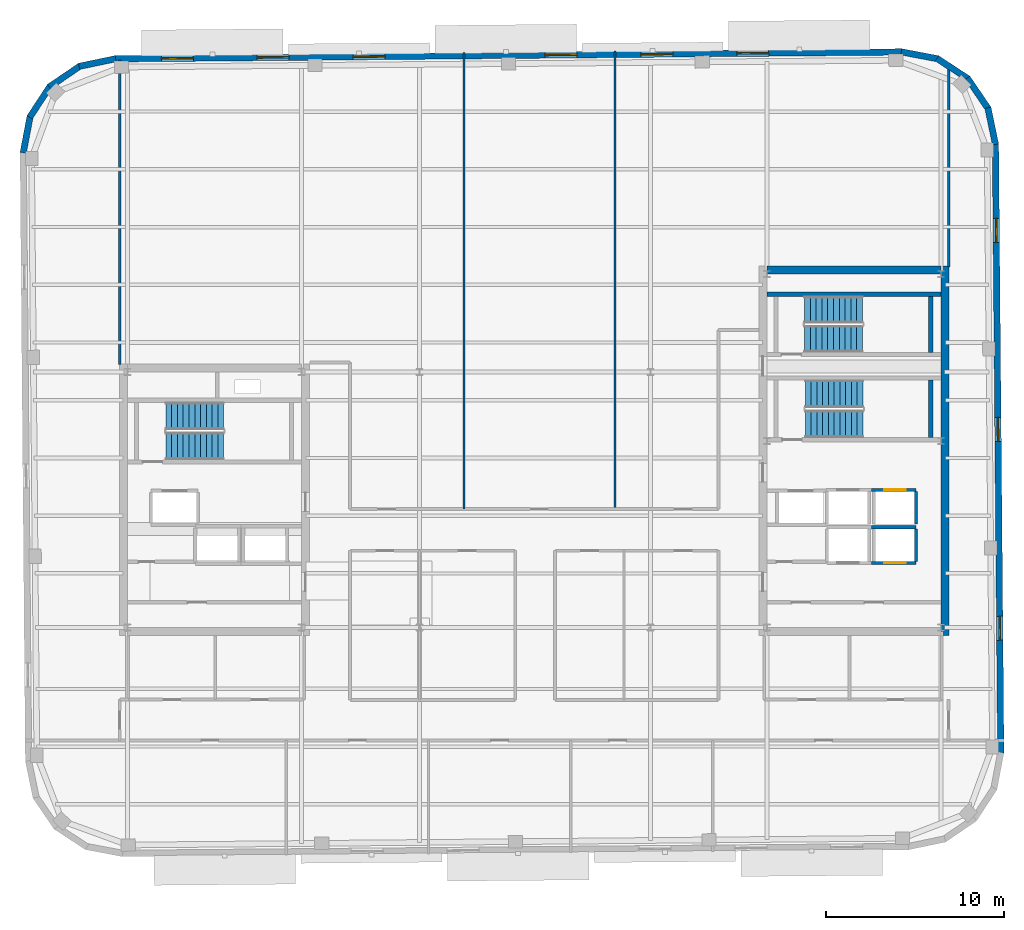
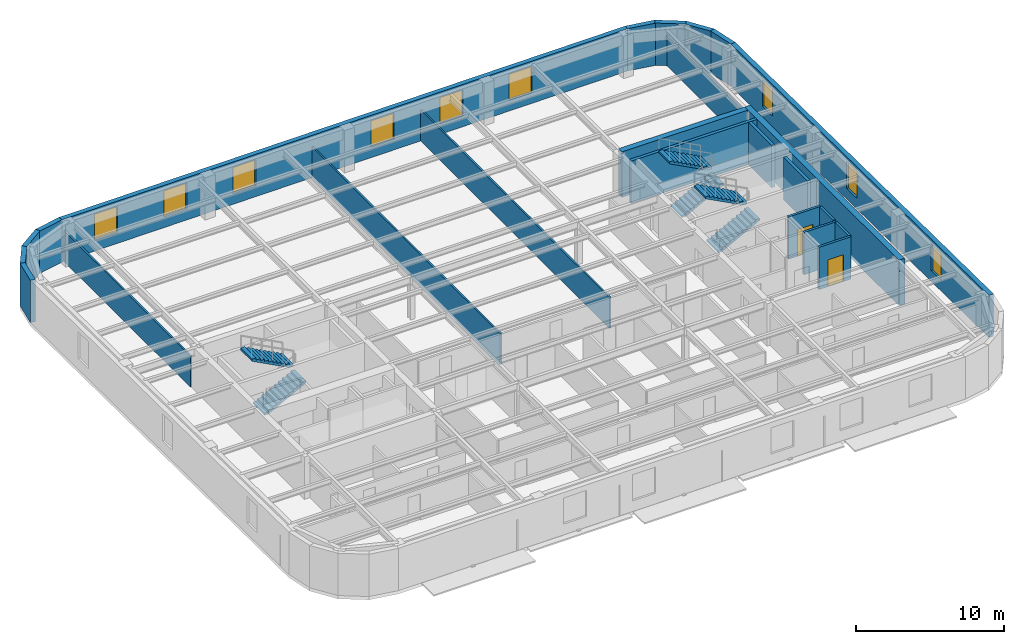
# One storey, part 9 of 13: 24 walls, 9 windows, 6 stair flights, 2 doors, 11 openings, 3 elements without a shape of their own.
"""IFC4 building model written with IfcOpenShell, lengths in metres."""

import ifcopenshell
import ifcopenshell.guid

model = None  # the IFC model being written
_history = None  # IfcOwnerHistory: only IFC2X3 demands one
_inside = {}  # id of a spatial element -> (the spatial element, [elements in it])
_under = {}  # id of a project, library or spatial element -> (it, [spatial elements below it])
_declared = {}  # id of a project -> (the project, [libraries it declares])
_typed = {}  # id of a type object -> (the type object, [elements of that type])
_made_of = {}  # id of a material, layer set ... -> (it, [elements and type objects made of it])


def new_model(schema):
    """Start an empty IFC model of exactly this schema.

    Asked for "IFC4X3", IfcOpenShell would pick the latest addendum, in which some entities
    have other attributes; the version numbers below select the first issue.
    IFC2X3 requires an IfcOwnerHistory on every rooted entity: one is made here for all.
    """
    global model, _history
    if schema == "IFC4X3":
        model = ifcopenshell.file(schema_version=(4, 3, 0, 0))
    else:
        model = ifcopenshell.file(schema=schema)
    _inside.clear()
    _under.clear()
    _declared.clear()
    _typed.clear()
    _made_of.clear()
    _history = None
    if model.schema == "IFC2X3":
        org = make("IfcOrganization", Name="unknown")
        user = make(
            "IfcPersonAndOrganization",
            ThePerson=make("IfcPerson", FamilyName="unknown"),
            TheOrganization=org,
        )
        app = make(
            "IfcApplication",
            ApplicationDeveloper=org,
            Version="unknown",
            ApplicationFullName="unknown",
            ApplicationIdentifier="unknown",
        )
        _history = make(
            "IfcOwnerHistory",
            OwningUser=user,
            OwningApplication=app,
            ChangeAction="ADDED",
            CreationDate=0,
        )
    return model


def make(cls, **values):
    """One entity of the class cls with the attributes given. An attribute that is None is left unset."""
    return model.create_entity(
        cls, **{name: value for name, value in values.items() if value is not None}
    )


def rooted(cls, **values):
    """An entity with a GlobalId (a new one), such as an element, a storey or a relation."""
    return make(cls, GlobalId=ifcopenshell.guid.new(), OwnerHistory=_history, **values)


def si_unit(unit_type, name, prefix=None):
    """IfcSIUnit, for example si_unit("LENGTHUNIT", "METRE", prefix="MILLI")."""
    return make("IfcSIUnit", UnitType=unit_type, Prefix=prefix, Name=name)


def assignment(units):
    """IfcUnitAssignment: the units of a project."""
    return None if units is None else make("IfcUnitAssignment", Units=units)


def point(xyz):
    """IfcCartesianPoint."""
    return None if xyz is None else make("IfcCartesianPoint", Coordinates=xyz)


def direction(xyz):
    """IfcDirection."""
    return None if xyz is None else make("IfcDirection", DirectionRatios=xyz)


def frame(location, z_axis=None, x_axis=None):
    """IfcAxis2Placement3D, a coordinate frame: its origin and axes. An axis left out is left unset."""
    return make(
        "IfcAxis2Placement3D",
        Location=point(location),
        Axis=direction(z_axis),
        RefDirection=direction(x_axis),
    )


def frame_2d(location, x_axis=None):
    """IfcAxis2Placement2D, a coordinate frame in the plane: its origin and x axis."""
    return make(
        "IfcAxis2Placement2D", Location=point(location), RefDirection=direction(x_axis)
    )


def origin():
    """The frame at (0, 0, 0) with its axes left unset."""
    return frame((0.0, 0.0, 0.0))


def place(relative_to, where):
    """IfcLocalPlacement: puts the frame where relative to a parent placement (None: the world)."""
    return make(
        "IfcLocalPlacement", PlacementRelTo=relative_to, RelativePlacement=where
    )


def context(
    kind, dimensions, precision=None, world=None, true_north=None, identifier=None
):
    """IfcGeometricRepresentationContext, for example the 3D "Model" context."""
    return make(
        "IfcGeometricRepresentationContext",
        ContextIdentifier=identifier,
        ContextType=kind,
        CoordinateSpaceDimension=dimensions,
        Precision=precision,
        WorldCoordinateSystem=world,
        TrueNorth=true_north,
    )


def subcontext(parent, identifier, kind, view, scale=None):
    """IfcGeometricRepresentationSubContext, for example "Body" below "Model"."""
    return make(
        "IfcGeometricRepresentationSubContext",
        ContextIdentifier=identifier,
        ContextType=kind,
        ParentContext=parent,
        TargetScale=scale,
        TargetView=view,
    )


def project(units=None, contexts=None):
    """IfcProject with its units and contexts."""
    return rooted(
        "IfcProject",
        Name="project",
        RepresentationContexts=contexts,
        UnitsInContext=assignment(units),
    )


def spatial(cls, under=None, at=None, **own):
    """A site, building, storey or space (cls), placed at a placement, below another one or the project."""
    s = rooted(cls, ObjectPlacement=at, **own)
    if under is not None:
        _under.setdefault(under.id(), (under, []))[1].append(s)
    return s


def polyline(points):
    """IfcPolyline through the points."""
    return make("IfcPolyline", Points=[point(p) for p in points])


def profile(cls, at=None, kind="AREA", **sizes):
    """A parametric profile (cls). Its sizes go by their IFC names, for example OverallWidth=200.0."""
    return make(cls, ProfileType=kind, Position=at, **sizes)


def rectangle(**sizes):
    """IfcRectangleProfileDef."""
    return profile("IfcRectangleProfileDef", **sizes)


def outline(outer, holes=None, kind="AREA"):
    """IfcArbitraryClosedProfileDef: a profile drawn as a closed curve; with holes, ...WithVoids."""
    if holes is None:
        return make("IfcArbitraryClosedProfileDef", ProfileType=kind, OuterCurve=outer)
    return make(
        "IfcArbitraryProfileDefWithVoids",
        ProfileType=kind,
        OuterCurve=outer,
        InnerCurves=holes,
    )


def extrude(swept, where, along, depth):
    """IfcExtrudedAreaSolid: the profile swept, set in the frame where, extruded along a direction by depth."""
    return make(
        "IfcExtrudedAreaSolid",
        SweptArea=swept,
        Position=where,
        ExtrudedDirection=direction(along),
        Depth=depth,
    )


def shape(context_of_items, identifier, shape_type, items):
    """IfcShapeRepresentation: the items that make up one representation, for example the "Body"."""
    return make(
        "IfcShapeRepresentation",
        ContextOfItems=context_of_items,
        RepresentationIdentifier=identifier,
        RepresentationType=shape_type,
        Items=items,
    )


def material(Name=None, Category=None):
    """IfcMaterial."""
    return make("IfcMaterial", Name=Name, Category=Category)


def layer(
    of_material, thickness, ventilated=None, Name=None, Category=None, Priority=None
):
    """IfcMaterialLayer: one layer of a wall or slab, of a material (None: an air gap)."""
    return make(
        "IfcMaterialLayer",
        Material=of_material,
        LayerThickness=thickness,
        IsVentilated=ventilated,
        Name=Name,
        Category=Category,
        Priority=Priority,
    )


def layer_set(layers, Name=None):
    """IfcMaterialLayerSet."""
    return make("IfcMaterialLayerSet", MaterialLayers=layers, LayerSetName=Name)


def made_of(thing, what):
    """Note that an element or type object is made of a material, layer set ...; save() writes the relation."""
    if what is not None:
        _made_of.setdefault(what.id(), (what, []))[1].append(thing)
    return thing


def type_object(cls, material=None, **own):
    """A type object (cls), such as IfcWallType, which elements share."""
    return made_of(rooted(cls, **own), material)


def element(
    cls,
    number,
    at=None,
    inside=None,
    cuts=None,
    type_object=None,
    material=None,
    context=None,
    identifier="Body",
    shape_type=None,
    held_by="IfcProductDefinitionShape",
    body=None,
    shapes=None,
    **own,
):
    """One element of the class cls, such as IfcWall. Its Tag is "e" and its number.

    at: its placement. inside: the storey or other place that contains it. cuts: it is an
    opening in that element (IfcRelVoidsElement). A single representation is given by context,
    identifier, shape_type and body (its items); several are given by shapes. held_by: the class
    of the entity that holds the representations. save() writes the other relations.
    """
    e = rooted(cls, Tag="e%d" % number, ObjectPlacement=at, **own)
    if body is not None:
        shapes = [shape(context, identifier, shape_type, body)]
    if shapes is not None:
        e.Representation = make(held_by, Representations=shapes)
    if inside is not None:
        _inside.setdefault(inside.id(), (inside, []))[1].append(e)
    if cuts is not None:
        rooted(
            "IfcRelVoidsElement", RelatingBuildingElement=cuts, RelatedOpeningElement=e
        )
    if type_object is not None:
        _typed.setdefault(type_object.id(), (type_object, []))[1].append(e)
    return made_of(e, material)


def fill(opening, filler):
    """IfcRelFillsElement: the door or window that sits in an opening."""
    return rooted(
        "IfcRelFillsElement",
        RelatingOpeningElement=opening,
        RelatedBuildingElement=filler,
    )


def aggregate(whole, parts):
    """IfcRelAggregates: a whole, such as a stair, and the parts it consists of."""
    return rooted("IfcRelAggregates", RelatingObject=whole, RelatedObjects=parts)


def save(model, path):
    """Write the relations noted so far, then the file.

    IfcRelAggregates (storeys below a building ...), IfcRelContainedInSpatialStructure (elements
    in a storey), IfcRelDefinesByType, IfcRelAssociatesMaterial and IfcRelDeclares: one each for
    every whole, place, type object, material and project.
    """
    for whole, parts in _under.values():
        aggregate(whole, parts)
    for where, things in _inside.values():
        rooted(
            "IfcRelContainedInSpatialStructure",
            RelatedElements=things,
            RelatingStructure=where,
        )
    for kind, things in _typed.values():
        rooted("IfcRelDefinesByType", RelatedObjects=things, RelatingType=kind)
    for what, things in _made_of.values():
        rooted("IfcRelAssociatesMaterial", RelatedObjects=things, RelatingMaterial=what)
    for by, libraries in _declared.values():
        rooted("IfcRelDeclares", RelatingContext=by, RelatedDefinitions=libraries)
    model.write(path)


model = new_model("IFC4")

# Units and contexts
model_context = context("Model", 3, precision=1e-05, world=origin(), true_north=direction((0.0, 1.0)))
body_context = subcontext(model_context, "Body", "Model", "MODEL_VIEW")
ifc_project = project(units=[si_unit("LENGTHUNIT", "METRE"), si_unit("AREAUNIT", "SQUARE_METRE"), si_unit("VOLUMEUNIT", "CUBIC_METRE"), si_unit("PLANEANGLEUNIT", "RADIAN"), si_unit("MASSUNIT", "GRAM", prefix="KILO")], contexts=[model_context])

# Site, building, storey
site_placement = place(None, origin())
site = spatial("IfcSite", under=ifc_project, at=site_placement, CompositionType="ELEMENT")
building_placement = place(site_placement, origin())
building = spatial("IfcBuilding", under=site, at=building_placement, Name="Kolvaren Arena Tower", CompositionType="ELEMENT")
storey_placement = place(building_placement, frame((0.0, 0.0, 286.14990234375)))
storey = spatial("IfcBuildingStorey", under=building, at=storey_placement, Name="L70", CompositionType="ELEMENT", Elevation=286.14990234375)

# Walls
ifc_material_1 = material(Name="Concrete 55 MPa", Category="concrete")
ifc_layer_1 = layer(ifc_material_1, 0.449951171875)
ifc_layer_set_1 = layer_set([ifc_layer_1], Name="Concrete 55 MPa")
wall_type_1 = type_object("IfcWallType", Name="CWALL-450", PredefinedType="SHEAR", material=ifc_layer_set_1)
wall_1_placement = place(storey_placement, frame((60.574951171875, 19.0, -0.27001953125), z_axis=(0.0, 0.0, 1.0), x_axis=(0.0, 1.0, 0.0)))
element("IfcWall", 1, at=wall_1_placement, inside=storey, type_object=wall_type_1, Name="Core Shear Wall EC-EAST (L70)", PredefinedType="SHEAR", context=body_context, shape_type="SweptSolid", body=[
    extrude(rectangle(XDim=20.800048828125, YDim=0.449951171875, at=frame_2d((10.39990234375, 0.0))), origin(), (0.0, 0.0, 1.0), 3.75),
])
wall_2_placement = place(storey_placement, frame((50.550048828125, 39.574951171875, -0.27001953125), z_axis=(0.0, 0.0, 1.0), x_axis=(1.0, 0.0, 0.0)))
element("IfcWall", 2, at=wall_2_placement, inside=storey, type_object=wall_type_1, Name="Core Shear Wall EC-NORTH (L70)", PredefinedType="SHEAR", context=body_context, shape_type="SweptSolid", body=[
    extrude(rectangle(XDim=9.800048828125, YDim=0.449951171875, at=frame_2d((4.89990234375, 0.0))), origin(), (0.0, 0.0, 1.0), 3.75),
])

# Wall, openings, windows
ifc_material_2 = material(Name="Precast concrete C50/60", Category="concrete")
ifc_layer_2 = layer(ifc_material_2, 0.360107421875)
ifc_layer_set_2 = layer_set([ifc_layer_2], Name="Precast concrete C50/60")
wall_type_2 = type_object("IfcWallType", Name="EXT-PIER2", PredefinedType="SOLIDWALL", material=ifc_layer_set_2)
wall_3_placement = place(storey_placement, frame((63.419189453125, 46.688232421875, 0.0), z_axis=(0.0, 0.0, 1.0), x_axis=(0.008726391715, -0.999961924319, 0.0)))
wall_3 = element("IfcWall", 3, at=wall_3_placement, inside=storey, type_object=wall_type_2, Name="Exterior Precast Masonry-Frame Wall (L70)", PredefinedType="SOLIDWALL", context=body_context, shape_type="SweptSolid", body=[
    extrude(rectangle(XDim=34.300048828125, YDim=0.360107421875, at=frame_2d((17.14990234375, 0.0))), origin(), (0.0, 0.0, 1.0), 3.47998046875),
])
opening_1_placement = place(wall_3_placement, frame((4.199951171875, 0.0, 0.8798828125)))
opening_1 = element("IfcOpeningElement", 4, at=opening_1_placement, cuts=wall_3, Name="Opening W04", PredefinedType="OPENING", context=body_context, shape_type="SweptSolid", body=[
    extrude(rectangle(XDim=1.35009765625, YDim=2.199951171875, at=frame_2d((0.675048828125, 1.10009765625))), frame((0.0, 0.18994140625, 0.0), z_axis=(0.0, -1.0, 0.0), x_axis=(1.0, 0.0, 0.0)), (0.0, 0.0, 1.0), 0.380126953125),
])
opening_2_placement = place(wall_3_placement, frame((15.39990234375, 0.0, 0.8798828125)))
opening_2 = element("IfcOpeningElement", 5, at=opening_2_placement, cuts=wall_3, Name="Opening W04", PredefinedType="OPENING", context=body_context, shape_type="SweptSolid", body=[
    extrude(rectangle(XDim=1.35009765625, YDim=2.199951171875, at=frame_2d((0.675048828125, 1.10009765625))), frame((0.0, 0.18994140625, 0.0), z_axis=(0.0, -1.0, 0.0), x_axis=(1.0, 0.0, 0.0)), (0.0, 0.0, 1.0), 0.380126953125),
])
opening_3_placement = place(wall_3_placement, frame((26.60009765625, 0.0, 0.8798828125)))
opening_3 = element("IfcOpeningElement", 6, at=opening_3_placement, cuts=wall_3, Name="Opening W04", PredefinedType="OPENING", context=body_context, shape_type="SweptSolid", body=[
    extrude(rectangle(XDim=1.35009765625, YDim=2.199951171875, at=frame_2d((0.675048828125, 1.10009765625))), frame((0.0, 0.18994140625, 0.0), z_axis=(0.0, -1.0, 0.0), x_axis=(1.0, 0.0, 0.0)), (0.0, 0.0, 1.0), 0.380126953125),
])
ifc_material_3 = material(Name="Triple-glazed curved-facet corner window", Category="glass")
window_type_1 = type_object("IfcWindowType", Name="WIN-CRN-A", PartitioningType="SINGLE_PANEL", PredefinedType="WINDOW", material=ifc_material_3)
window_1_placement = place(opening_1_placement, origin())
window_1 = element("IfcWindow", 7, at=window_1_placement, inside=storey, type_object=window_type_1, Name="End-Wall Punched Window (L70)", OverallHeight=2.199951171875, OverallWidth=1.35009765625, PartitioningType="SINGLE_PANEL", PredefinedType="WINDOW", context=body_context, shape_type="SweptSolid", body=[
    extrude(rectangle(XDim=1.35009765625, YDim=2.199951171875, at=frame_2d((0.675048828125, 1.10009765625))), frame((0.0, 0.030029296875, 0.0), z_axis=(0.0, -1.0, 0.0), x_axis=(1.0, 0.0, 0.0)), (0.0, 0.0, 1.0), 0.06005859375),
])
fill(opening_1, window_1)
window_2_placement = place(opening_2_placement, origin())
window_2 = element("IfcWindow", 8, at=window_2_placement, inside=storey, type_object=window_type_1, Name="End-Wall Punched Window (L70)", OverallHeight=2.199951171875, OverallWidth=1.35009765625, PartitioningType="SINGLE_PANEL", PredefinedType="WINDOW", context=body_context, shape_type="SweptSolid", body=[
    extrude(rectangle(XDim=1.35009765625, YDim=2.199951171875, at=frame_2d((0.675048828125, 1.10009765625))), frame((0.0, 0.030029296875, 0.0), z_axis=(0.0, -1.0, 0.0), x_axis=(1.0, 0.0, 0.0)), (0.0, 0.0, 1.0), 0.06005859375),
])
fill(opening_2, window_2)
window_3_placement = place(opening_3_placement, origin())
window_3 = element("IfcWindow", 9, at=window_3_placement, inside=storey, type_object=window_type_1, Name="End-Wall Punched Window (L70)", OverallHeight=2.199951171875, OverallWidth=1.35009765625, PartitioningType="SINGLE_PANEL", PredefinedType="WINDOW", context=body_context, shape_type="SweptSolid", body=[
    extrude(rectangle(XDim=1.35009765625, YDim=2.199951171875, at=frame_2d((0.675048828125, 1.10009765625))), frame((0.0, 0.030029296875, 0.0), z_axis=(0.0, -1.0, 0.0), x_axis=(1.0, 0.0, 0.0)), (0.0, 0.0, 1.0), 0.06005859375),
])
fill(opening_3, window_3)

# Walls
for number, where, z_axis, x_axis, name in (
    (10, (62.993896484375, 48.7158203125, 0.0), (0.0, 0.0, 1.0), (0.203709000552, -0.979031482177, 0.0), "Exterior Precast Masonry-Frame Wall (L70)"),
    (11, (61.835693359375, 50.392822265625, 0.0), (0.0, 0.0, 1.0), (0.562829722645, -0.826572866302, 0.0), "Exterior Precast Masonry-Frame Wall (L70)"),
):
    element("IfcWall", number, at=place(storey_placement, frame(where, z_axis=z_axis, x_axis=x_axis)), inside=storey, type_object=wall_type_2, Name=name, PredefinedType="SOLIDWALL", context=body_context, shape_type="SweptSolid", body=[
        extrude(rectangle(XDim=2.10693359375, YDim=0.360107421875, at=frame_2d((1.053466796875, 0.0))), origin(), (0.0, 0.0, 1.0), 3.47998046875),
    ])
for number, where, z_axis, x_axis, name in (
    (12, (60.123779296875, 51.498779296875, 0.0), (0.0, 0.0, 1.0), (0.83632188969, -0.548238722478, 0.0), "Exterior Precast Masonry-Frame Wall (L70)"),
    (13, (58.118896484375, 51.865478515625, 0.0), (0.0, 0.0, 1.0), (0.982463107022, -0.186457081764, 0.0), "Exterior Precast Masonry-Frame Wall (L70)"),
):
    element("IfcWall", number, at=place(storey_placement, frame(where, z_axis=z_axis, x_axis=x_axis)), inside=storey, type_object=wall_type_2, Name=name, PredefinedType="SOLIDWALL", context=body_context, shape_type="SweptSolid", body=[
        extrude(rectangle(XDim=2.106689453125, YDim=0.360107421875, at=frame_2d((1.05322265625, 0.0))), origin(), (0.0, 0.0, 1.0), 3.47998046875),
    ])

# Wall, openings, windows
wall_4_placement = place(storey_placement, frame((13.855712890625, 51.475830078125, 0.0), z_axis=(0.0, 0.0, 1.0), x_axis=(0.999961944954, 0.008724026757, 0.0)))
wall_4 = element("IfcWall", 14, at=wall_4_placement, inside=storey, type_object=wall_type_2, Name="Exterior Precast Masonry-Frame Wall (L70)", PredefinedType="SOLIDWALL", context=body_context, shape_type="SweptSolid", body=[
    extrude(rectangle(XDim=44.300048828125, YDim=0.360107421875, at=frame_2d((22.14990234375, 0.0))), origin(), (0.0, 0.0, 1.0), 3.47998046875),
])
opening_4_placement = place(wall_4_placement, frame((2.60009765625, 0.0, 0.8798828125)))
opening_4 = element("IfcOpeningElement", 15, at=opening_4_placement, cuts=wall_4, Name="Opening W02", PredefinedType="OPENING", context=body_context, shape_type="SweptSolid", body=[
    extrude(rectangle(XDim=1.800048828125, YDim=2.14990234375, at=frame_2d((0.89990234375, 1.074951171875))), frame((0.0, 0.18994140625, 0.0), z_axis=(0.0, -1.0, 0.0), x_axis=(1.0, 0.0, 0.0)), (0.0, 0.0, 1.0), 0.380126953125),
])
opening_5_placement = place(wall_4_placement, frame((8.0, 0.0, 0.8798828125)))
opening_5 = element("IfcOpeningElement", 16, at=opening_5_placement, cuts=wall_4, Name="Opening W02", PredefinedType="OPENING", context=body_context, shape_type="SweptSolid", body=[
    extrude(rectangle(XDim=1.800048828125, YDim=2.14990234375, at=frame_2d((0.89990234375, 1.074951171875))), frame((0.0, 0.18994140625, 0.0), z_axis=(0.0, -1.0, 0.0), x_axis=(1.0, 0.0, 0.0)), (0.0, 0.0, 1.0), 0.380126953125),
])
opening_6_placement = place(wall_4_placement, frame((13.39990234375, 0.0, 0.8798828125)))
opening_6 = element("IfcOpeningElement", 17, at=opening_6_placement, cuts=wall_4, Name="Opening W02", PredefinedType="OPENING", context=body_context, shape_type="SweptSolid", body=[
    extrude(rectangle(XDim=1.800048828125, YDim=2.14990234375, at=frame_2d((0.89990234375, 1.074951171875))), frame((0.0, 0.18994140625, 0.0), z_axis=(0.0, -1.0, 0.0), x_axis=(1.0, 0.0, 0.0)), (0.0, 0.0, 1.0), 0.380126953125),
])
opening_7_placement = place(wall_4_placement, frame((24.199951171875, 0.0, 0.8798828125)))
opening_7 = element("IfcOpeningElement", 18, at=opening_7_placement, cuts=wall_4, Name="Opening W02", PredefinedType="OPENING", context=body_context, shape_type="SweptSolid", body=[
    extrude(rectangle(XDim=1.800048828125, YDim=2.14990234375, at=frame_2d((0.89990234375, 1.074951171875))), frame((0.0, 0.18994140625, 0.0), z_axis=(0.0, -1.0, 0.0), x_axis=(1.0, 0.0, 0.0)), (0.0, 0.0, 1.0), 0.380126953125),
])
opening_8_placement = place(wall_4_placement, frame((29.60009765625, 0.0, 0.8798828125)))
opening_8 = element("IfcOpeningElement", 19, at=opening_8_placement, cuts=wall_4, Name="Opening W02", PredefinedType="OPENING", context=body_context, shape_type="SweptSolid", body=[
    extrude(rectangle(XDim=1.800048828125, YDim=2.14990234375, at=frame_2d((0.89990234375, 1.074951171875))), frame((0.0, 0.18994140625, 0.0), z_axis=(0.0, -1.0, 0.0), x_axis=(1.0, 0.0, 0.0)), (0.0, 0.0, 1.0), 0.380126953125),
])
opening_9_placement = place(wall_4_placement, frame((35.0, 0.0, 0.8798828125)))
opening_9 = element("IfcOpeningElement", 20, at=opening_9_placement, cuts=wall_4, Name="Opening W02", PredefinedType="OPENING", context=body_context, shape_type="SweptSolid", body=[
    extrude(rectangle(XDim=1.800048828125, YDim=2.14990234375, at=frame_2d((0.89990234375, 1.074951171875))), frame((0.0, 0.18994140625, 0.0), z_axis=(0.0, -1.0, 0.0), x_axis=(1.0, 0.0, 0.0)), (0.0, 0.0, 1.0), 0.380126953125),
])
ifc_material_4 = material(Name="Triple-glazed low-E aluminium window", Category="aluminium")
window_type_2 = type_object("IfcWindowType", Name="WIN-OFF-B", PartitioningType="DOUBLE_PANEL_VERTICAL", PredefinedType="WINDOW", material=ifc_material_4)
window_4_placement = place(opening_4_placement, origin())
window_4 = element("IfcWindow", 21, at=window_4_placement, inside=storey, type_object=window_type_2, Name="Punched Precast-Pier Window (L70)", OverallHeight=2.14990234375, OverallWidth=1.800048828125, PartitioningType="DOUBLE_PANEL_VERTICAL", PredefinedType="WINDOW", context=body_context, shape_type="SweptSolid", body=[
    extrude(rectangle(XDim=1.800048828125, YDim=2.14990234375, at=frame_2d((0.89990234375, 1.074951171875))), frame((0.0, 0.030029296875, 0.0), z_axis=(0.0, -1.0, 0.0), x_axis=(1.0, 0.0, 0.0)), (0.0, 0.0, 1.0), 0.06005859375),
])
fill(opening_4, window_4)
window_5_placement = place(opening_5_placement, origin())
window_5 = element("IfcWindow", 22, at=window_5_placement, inside=storey, type_object=window_type_2, Name="Punched Precast-Pier Window (L70)", OverallHeight=2.14990234375, OverallWidth=1.800048828125, PartitioningType="DOUBLE_PANEL_VERTICAL", PredefinedType="WINDOW", context=body_context, shape_type="SweptSolid", body=[
    extrude(rectangle(XDim=1.800048828125, YDim=2.14990234375, at=frame_2d((0.89990234375, 1.074951171875))), frame((0.0, 0.030029296875, 0.0), z_axis=(0.0, -1.0, 0.0), x_axis=(1.0, 0.0, 0.0)), (0.0, 0.0, 1.0), 0.06005859375),
])
fill(opening_5, window_5)
window_6_placement = place(opening_6_placement, origin())
window_6 = element("IfcWindow", 23, at=window_6_placement, inside=storey, type_object=window_type_2, Name="Punched Precast-Pier Window (L70)", OverallHeight=2.14990234375, OverallWidth=1.800048828125, PartitioningType="DOUBLE_PANEL_VERTICAL", PredefinedType="WINDOW", context=body_context, shape_type="SweptSolid", body=[
    extrude(rectangle(XDim=1.800048828125, YDim=2.14990234375, at=frame_2d((0.89990234375, 1.074951171875))), frame((0.0, 0.030029296875, 0.0), z_axis=(0.0, -1.0, 0.0), x_axis=(1.0, 0.0, 0.0)), (0.0, 0.0, 1.0), 0.06005859375),
])
fill(opening_6, window_6)
window_7_placement = place(opening_7_placement, origin())
window_7 = element("IfcWindow", 24, at=window_7_placement, inside=storey, type_object=window_type_2, Name="Punched Precast-Pier Window (L70)", OverallHeight=2.14990234375, OverallWidth=1.800048828125, PartitioningType="DOUBLE_PANEL_VERTICAL", PredefinedType="WINDOW", context=body_context, shape_type="SweptSolid", body=[
    extrude(rectangle(XDim=1.800048828125, YDim=2.14990234375, at=frame_2d((0.89990234375, 1.074951171875))), frame((0.0, 0.030029296875, 0.0), z_axis=(0.0, -1.0, 0.0), x_axis=(1.0, 0.0, 0.0)), (0.0, 0.0, 1.0), 0.06005859375),
])
fill(opening_7, window_7)
window_8_placement = place(opening_8_placement, origin())
window_8 = element("IfcWindow", 25, at=window_8_placement, inside=storey, type_object=window_type_2, Name="Punched Precast-Pier Window (L70)", OverallHeight=2.14990234375, OverallWidth=1.800048828125, PartitioningType="DOUBLE_PANEL_VERTICAL", PredefinedType="WINDOW", context=body_context, shape_type="SweptSolid", body=[
    extrude(rectangle(XDim=1.800048828125, YDim=2.14990234375, at=frame_2d((0.89990234375, 1.074951171875))), frame((0.0, 0.030029296875, 0.0), z_axis=(0.0, -1.0, 0.0), x_axis=(1.0, 0.0, 0.0)), (0.0, 0.0, 1.0), 0.06005859375),
])
fill(opening_8, window_8)
window_9_placement = place(opening_9_placement, origin())
window_9 = element("IfcWindow", 26, at=window_9_placement, inside=storey, type_object=window_type_2, Name="Punched Precast-Pier Window (L70)", OverallHeight=2.14990234375, OverallWidth=1.800048828125, PartitioningType="DOUBLE_PANEL_VERTICAL", PredefinedType="WINDOW", context=body_context, shape_type="SweptSolid", body=[
    extrude(rectangle(XDim=1.800048828125, YDim=2.14990234375, at=frame_2d((0.89990234375, 1.074951171875))), frame((0.0, 0.030029296875, 0.0), z_axis=(0.0, -1.0, 0.0), x_axis=(1.0, 0.0, 0.0)), (0.0, 0.0, 1.0), 0.06005859375),
])
fill(opening_9, window_9)

# Walls
for number, where, z_axis, x_axis, name in (
    (27, (11.827880859375, 51.050537109375, 0.0), (0.0, 0.0, 1.0), (0.97905458633, 0.203597929717, 0.0), "Exterior Precast Masonry-Frame Wall (L70)"),
    (28, (10.15087890625, 49.89208984375, 0.0), (0.0, 0.0, 1.0), (0.826609569219, 0.56277581689, 0.0), "Exterior Precast Masonry-Frame Wall (L70)"),
):
    element("IfcWall", number, at=place(storey_placement, frame(where, z_axis=z_axis, x_axis=x_axis)), inside=storey, type_object=wall_type_2, Name=name, PredefinedType="SOLIDWALL", context=body_context, shape_type="SweptSolid", body=[
        extrude(rectangle(XDim=2.10693359375, YDim=0.360107421875, at=frame_2d((1.053466796875, 0.0))), origin(), (0.0, 0.0, 1.0), 3.47998046875),
    ])
for number, where, z_axis, x_axis, name in (
    (29, (9.044921875, 48.18017578125, 0.0), (0.0, 0.0, 1.0), (0.548266637224, 0.836303589916, 0.0), "Exterior Precast Masonry-Frame Wall (L70)"),
    (30, (8.67822265625, 46.17529296875, 0.0), (0.0, 0.0, 1.0), (0.186547695246, 0.982445905584, 0.0), "Exterior Precast Masonry-Frame Wall (L70)"),
):
    element("IfcWall", number, at=place(storey_placement, frame(where, z_axis=z_axis, x_axis=x_axis)), inside=storey, type_object=wall_type_2, Name=name, PredefinedType="SOLIDWALL", context=body_context, shape_type="SweptSolid", body=[
        extrude(rectangle(XDim=2.107177734375, YDim=0.360107421875, at=frame_2d((1.0537109375, 0.0))), origin(), (0.0, 0.0, 1.0), 3.47998046875),
    ])
ifc_material_5 = material(Name="Gypsum board partition assembly", Category="gypsum")
ifc_layer_3 = layer(ifc_material_5, 0.135009765625)
ifc_layer_set_3 = layer_set([ifc_layer_3], Name="Gypsum board partition assembly")
wall_type_3 = type_object("IfcWallType", Name="PART-135", PredefinedType="PARTITIONING", material=ifc_layer_set_3)
wall_5_placement = place(storey_placement, frame((33.5, 26.1201171875, 0.0), z_axis=(0.0, 0.0, 1.0), x_axis=(0.0, 1.0, 0.0)))
element("IfcWall", 31, at=wall_5_placement, inside=storey, type_object=wall_type_3, Name="Interior Partition Wall (L70)", PredefinedType="PARTITIONING", context=body_context, shape_type="SweptSolid", body=[
    extrude(rectangle(XDim=25.707275390625, YDim=0.135009765625, at=frame_2d((12.853515625, 0.0))), origin(), (0.0, 0.0, 1.0), 2.5400390625),
])
wall_6_placement = place(storey_placement, frame((42.0, 26.1201171875, 0.0), z_axis=(0.0, 0.0, 1.0), x_axis=(0.0, 1.0, 0.0)))
element("IfcWall", 32, at=wall_6_placement, inside=storey, type_object=wall_type_3, Name="Interior Partition Wall (L70)", PredefinedType="PARTITIONING", context=body_context, shape_type="SweptSolid", body=[
    extrude(rectangle(XDim=25.78125, YDim=0.135009765625, at=frame_2d((12.890625, 0.0))), origin(), (0.0, 0.0, 1.0), 2.5400390625),
])
wall_7_placement = place(storey_placement, frame((14.1201171875, 34.25, 0.0), z_axis=(0.0, 0.0, 1.0), x_axis=(0.0, 1.0, 0.0)))
element("IfcWall", 33, at=wall_7_placement, inside=storey, type_object=wall_type_3, Name="Interior Partition Wall (L70)", PredefinedType="PARTITIONING", context=body_context, shape_type="SweptSolid", body=[
    extrude(rectangle(XDim=17.168212890625, YDim=0.135009765625, at=frame_2d((8.583984375, 0.0))), origin(), (0.0, 0.0, 1.0), 2.5400390625),
])
wall_8_placement = place(storey_placement, frame((60.780029296875, 39.75, 0.0), z_axis=(0.0, 0.0, 1.0), x_axis=(0.0, 1.0, 0.0)))
element("IfcWall", 34, at=wall_8_placement, inside=storey, type_object=wall_type_3, Name="Interior Partition Wall (L70)", PredefinedType="PARTITIONING", context=body_context, shape_type="SweptSolid", body=[
    extrude(rectangle(XDim=11.246826171875, YDim=0.135009765625, at=frame_2d((5.62353515625, 0.0))), origin(), (0.0, 0.0, 1.0), 2.5400390625),
])
ifc_material_6 = material(Name="Concrete 45 MPa", Category="concrete")
ifc_layer_4 = layer(ifc_material_6, 0.25)
ifc_layer_set_4 = layer_set([ifc_layer_4], Name="Concrete 45 MPa")
wall_type_4 = type_object("IfcWallType", Name="SHAFT-250", PredefinedType="SOLIDWALL", material=ifc_layer_set_4)
wall_9_placement = place(storey_placement, frame((59.780029296875, 30.14990234375, 0.0), z_axis=(0.0, 0.0, 1.0), x_axis=(0.0, 1.0, 0.0)))
element("IfcWall", 35, at=wall_9_placement, inside=storey, type_object=wall_type_4, Name="Core Shaft Wall (L70)", PredefinedType="SOLIDWALL", context=body_context, shape_type="SweptSolid", body=[
    extrude(rectangle(XDim=3.22998046875, YDim=0.239990234375, at=frame_2d((1.614990234375, 0.0))), origin(), (0.0, 0.0, 1.0), 3.47998046875),
])
wall_10_placement = place(storey_placement, frame((50.550048828125, 38.219970703125, 0.0), z_axis=(0.0, 0.0, 1.0), x_axis=(1.0, 0.0, 0.0)))
element("IfcWall", 36, at=wall_10_placement, inside=storey, type_object=wall_type_4, Name="Core Shaft Wall (L70)", PredefinedType="SOLIDWALL", context=body_context, shape_type="SweptSolid", body=[
    extrude(rectangle(XDim=9.800048828125, YDim=0.239990234375, at=frame_2d((4.89990234375, 0.0))), origin(), (0.0, 0.0, 1.0), 3.47998046875),
])
wall_11_placement = place(storey_placement, frame((59.780029296875, 34.949951171875, 0.0), z_axis=(0.0, 0.0, 1.0), x_axis=(0.0, 1.0, 0.0)))
element("IfcWall", 37, at=wall_11_placement, inside=storey, type_object=wall_type_4, Name="Core Shaft Wall (L70)", PredefinedType="SOLIDWALL", context=body_context, shape_type="SweptSolid", body=[
    extrude(rectangle(XDim=3.150146484375, YDim=0.239990234375, at=frame_2d((1.5751953125, 0.0))), origin(), (0.0, 0.0, 1.0), 3.47998046875),
])
wall_12_placement = place(storey_placement, frame((56.43994140625, 25.10498046875, 0.0), z_axis=(0.0, 0.0, 1.0), x_axis=(1.0, 0.0, 0.0)))
element("IfcWall", 38, at=wall_12_placement, inside=storey, type_object=wall_type_4, Name="Core Shaft Wall (L70)", PredefinedType="SOLIDWALL", context=body_context, shape_type="SweptSolid", body=[
    extrude(rectangle(XDim=2.5, YDim=0.179931640625, at=frame_2d((1.25, 0.0))), origin(), (0.0, 0.0, 1.0), 3.47998046875),
])

# Wall, opening, door
wall_13_placement = place(storey_placement, frame((56.43994140625, 23.094970703125, 0.0), z_axis=(0.0, 0.0, 1.0), x_axis=(1.0, 0.0, 0.0)))
wall_13 = element("IfcWall", 39, at=wall_13_placement, inside=storey, type_object=wall_type_4, Name="Core Shaft Wall (L70)", PredefinedType="SOLIDWALL", context=body_context, shape_type="SweptSolid", body=[
    extrude(rectangle(XDim=2.5, YDim=0.179931640625, at=frame_2d((1.25, 0.0))), origin(), (0.0, 0.0, 1.0), 3.47998046875),
])
opening_10_placement = place(wall_13_placement, frame((0.719970703125, 0.0, 0.0)))
opening_10 = element("IfcOpeningElement", 40, at=opening_10_placement, cuts=wall_13, Name="Opening LD1", PredefinedType="OPENING", context=body_context, shape_type="SweptSolid", body=[
    extrude(rectangle(XDim=1.199951171875, YDim=2.199951171875, at=frame_2d((0.60009765625, 1.10009765625))), frame((0.0, 0.099853515625, 0.0), z_axis=(0.0, -1.0, 0.0), x_axis=(1.0, 0.0, 0.0)), (0.0, 0.0, 1.0), 0.199951171875),
])
ifc_material_7 = material(Name="Stainless steel passenger lift landing door", Category="steel")
door_type = type_object("IfcDoorType", Name="DOOR-LD-120", OperationType="DOUBLE_DOOR_SLIDING", PredefinedType="DOOR", material=ifc_material_7)
door_1_placement = place(opening_10_placement, origin())
door_1 = element("IfcDoor", 41, at=door_1_placement, inside=storey, type_object=door_type, Name="Lift EL-HR2 Landing Door (L70)", OperationType="DOUBLE_DOOR_SLIDING", OverallHeight=2.199951171875, OverallWidth=1.199951171875, PredefinedType="DOOR", context=body_context, shape_type="SweptSolid", body=[
    extrude(rectangle(XDim=1.199951171875, YDim=2.199951171875, at=frame_2d((0.60009765625, 1.10009765625))), frame((0.0, 0.02490234375, 0.0), z_axis=(0.0, -1.0, 0.0), x_axis=(1.0, 0.0, 0.0)), (0.0, 0.0, 1.0), 0.050048828125),
])
fill(opening_10, door_1)

# Wall
wall_14_placement = place(storey_placement, frame((58.93994140625, 23.18505859375, 0.0), z_axis=(0.0, 0.0, 1.0), x_axis=(0.0, 1.0, 0.0)))
element("IfcWall", 42, at=wall_14_placement, inside=storey, type_object=wall_type_4, Name="Core Shaft Wall (L70)", PredefinedType="SOLIDWALL", context=body_context, shape_type="SweptSolid", body=[
    extrude(rectangle(XDim=1.829833984375, YDim=0.179931640625, at=frame_2d((0.9150390625, 0.0))), origin(), (0.0, 0.0, 1.0), 3.47998046875),
])

# Wall, opening, door
wall_15_placement = place(storey_placement, frame((56.43994140625, 27.205078125, 0.0), z_axis=(0.0, 0.0, 1.0), x_axis=(1.0, 0.0, 0.0)))
wall_15 = element("IfcWall", 43, at=wall_15_placement, inside=storey, type_object=wall_type_4, Name="Core Shaft Wall (L70)", PredefinedType="SOLIDWALL", context=body_context, shape_type="SweptSolid", body=[
    extrude(rectangle(XDim=2.5, YDim=0.179931640625, at=frame_2d((1.25, 0.0))), origin(), (0.0, 0.0, 1.0), 3.47998046875),
])
opening_11_placement = place(wall_15_placement, frame((0.719970703125, 0.0, 0.0)))
opening_11 = element("IfcOpeningElement", 44, at=opening_11_placement, cuts=wall_15, Name="Opening LD1", PredefinedType="OPENING", context=body_context, shape_type="SweptSolid", body=[
    extrude(rectangle(XDim=1.199951171875, YDim=2.199951171875, at=frame_2d((0.60009765625, 1.10009765625))), frame((0.0, 0.099853515625, 0.0), z_axis=(0.0, -1.0, 0.0), x_axis=(1.0, 0.0, 0.0)), (0.0, 0.0, 1.0), 0.199951171875),
])
door_2_placement = place(opening_11_placement, origin())
door_2 = element("IfcDoor", 45, at=door_2_placement, inside=storey, type_object=door_type, Name="Lift EL-HR4 Landing Door (L70)", OperationType="DOUBLE_DOOR_SLIDING", OverallHeight=2.199951171875, OverallWidth=1.199951171875, PredefinedType="DOOR", context=body_context, shape_type="SweptSolid", body=[
    extrude(rectangle(XDim=1.199951171875, YDim=2.199951171875, at=frame_2d((0.60009765625, 1.10009765625))), frame((0.0, 0.02490234375, 0.0), z_axis=(0.0, -1.0, 0.0), x_axis=(1.0, 0.0, 0.0)), (0.0, 0.0, 1.0), 0.050048828125),
])
fill(opening_11, door_2)

# Wall
wall_16_placement = place(storey_placement, frame((58.93994140625, 25.284912109375, 0.0), z_axis=(0.0, 0.0, 1.0), x_axis=(0.0, 1.0, 0.0)))
element("IfcWall", 46, at=wall_16_placement, inside=storey, type_object=wall_type_4, Name="Core Shaft Wall (L70)", PredefinedType="SOLIDWALL", context=body_context, shape_type="SweptSolid", body=[
    extrude(rectangle(XDim=1.830078125, YDim=0.179931640625, at=frame_2d((0.9150390625, 0.0))), origin(), (0.0, 0.0, 1.0), 3.47998046875),
])

# Stair, stair flights
stair_type_1 = type_object("IfcStairType", Name="STAIR-CORE-150", PredefinedType="HALF_TURN_STAIR", material=ifc_material_6)
stair_1_placement = place(storey_placement, origin())
stair_1 = element("IfcStair", 47, at=stair_1_placement, inside=storey, type_object=stair_type_1, Name="L70 ST-E2", PredefinedType="HALF_TURN_STAIR")
stair_flight_type_1 = type_object("IfcStairFlightType", Name="FLT-150", PredefinedType="STRAIGHT", material=ifc_material_6)
stair_flight_1_placement = place(storey_placement, frame((52.679931640625, 35.699951171875, 0.0), z_axis=(0.0, 0.0, 1.0), x_axis=(1.0, 0.0, 0.0)))
stair_flight_1 = element("IfcStairFlight", 48, at=stair_flight_1_placement, type_object=stair_flight_type_1, Name="ST-E2 flight 1", NumberOfRisers=11, NumberOfTreads=10, PredefinedType="STRAIGHT", RiserHeight=0.170454545, TreadLength=0.324, context=body_context, shape_type="SweptSolid", body=[
    extrude(outline(polyline([(0.0, 0.0), (0.0, 0.17041015625), (0.323974609375, 0.17041015625), (0.323974609375, 0.3408203125), (0.64794921875, 0.3408203125), (0.64794921875, 0.511474609375), (0.971923828125, 0.511474609375), (0.971923828125, 0.681884765625), (1.2958984375, 0.681884765625), (1.2958984375, 0.852294921875), (1.6201171875, 0.852294921875), (1.6201171875, 1.022705078125), (1.944091796875, 1.022705078125), (1.944091796875, 1.193115234375), (2.26806640625, 1.193115234375), (2.26806640625, 1.363525390625), (2.592041015625, 1.363525390625), (2.592041015625, 1.5341796875), (2.916015625, 1.5341796875), (2.916015625, 1.70458984375), (3.239990234375, 1.70458984375), (3.239990234375, 1.875), (3.239990234375, 1.53515625), (0.322021484375, 0.0), (0.0, 0.0)])), frame((0.0, 0.75, 0.0), z_axis=(0.0, -1.0, 0.0), x_axis=(1.0, 0.0, 0.0)), (0.0, 0.0, 1.0), 1.5),
])
stair_flight_2_placement = place(storey_placement, frame((55.919921875, 37.35009765625, 1.875), z_axis=(0.0, 0.0, 1.0), x_axis=(-1.0, 0.0, 0.0)))
stair_flight_2 = element("IfcStairFlight", 49, at=stair_flight_2_placement, type_object=stair_flight_type_1, Name="ST-E2 flight 2", NumberOfRisers=11, NumberOfTreads=10, PredefinedType="STRAIGHT", RiserHeight=0.170454545, TreadLength=0.324, context=body_context, shape_type="SweptSolid", body=[
    extrude(outline(polyline([(0.0, 0.0), (0.0, 0.17041015625), (0.323974609375, 0.17041015625), (0.323974609375, 0.3408203125), (0.64794921875, 0.3408203125), (0.64794921875, 0.511474609375), (0.971923828125, 0.511474609375), (0.971923828125, 0.681884765625), (1.2958984375, 0.681884765625), (1.2958984375, 0.852294921875), (1.6201171875, 0.852294921875), (1.6201171875, 1.022705078125), (1.944091796875, 1.022705078125), (1.944091796875, 1.193115234375), (2.26806640625, 1.193115234375), (2.26806640625, 1.363525390625), (2.592041015625, 1.363525390625), (2.592041015625, 1.5341796875), (2.916015625, 1.5341796875), (2.916015625, 1.70458984375), (3.239990234375, 1.70458984375), (3.239990234375, 1.875), (3.239990234375, 1.53515625), (0.322021484375, 0.0), (0.0, 0.0)])), frame((0.0, 0.75, 0.0), z_axis=(0.0, -1.0, 0.0), x_axis=(1.0, 0.0, 0.0)), (0.0, 0.0, 1.0), 1.5),
])
aggregate(stair_1, [stair_flight_1, stair_flight_2])

stair_type_2 = type_object("IfcStairType", Name="STAIR-CORE-165", PredefinedType="HALF_TURN_STAIR", material=ifc_material_6)
stair_2_placement = place(storey_placement, origin())
stair_2 = element("IfcStair", 50, at=stair_2_placement, inside=storey, type_object=stair_type_2, Name="L70 ST-W1", PredefinedType="HALF_TURN_STAIR")
stair_flight_type_2 = type_object("IfcStairFlightType", Name="FLT-165", PredefinedType="STRAIGHT", material=ifc_material_6)
stair_flight_3_placement = place(storey_placement, frame((16.719970703125, 29.669921875, 0.0), z_axis=(0.0, 0.0, 1.0), x_axis=(1.0, 0.0, 0.0)))
stair_flight_3 = element("IfcStairFlight", 51, at=stair_flight_3_placement, type_object=stair_flight_type_2, Name="ST-W1 flight 1", NumberOfRisers=11, NumberOfTreads=10, PredefinedType="STRAIGHT", RiserHeight=0.170454545, TreadLength=0.324, context=body_context, shape_type="SweptSolid", body=[
    extrude(outline(polyline([(0.0, 0.0), (0.0, 0.17041015625), (0.323974609375, 0.17041015625), (0.323974609375, 0.3408203125), (0.64794921875, 0.3408203125), (0.64794921875, 0.511474609375), (0.971923828125, 0.511474609375), (0.971923828125, 0.681884765625), (1.2958984375, 0.681884765625), (1.2958984375, 0.852294921875), (1.6201171875, 0.852294921875), (1.6201171875, 1.022705078125), (1.944091796875, 1.022705078125), (1.944091796875, 1.193115234375), (2.26806640625, 1.193115234375), (2.26806640625, 1.363525390625), (2.592041015625, 1.363525390625), (2.592041015625, 1.5341796875), (2.916015625, 1.5341796875), (2.916015625, 1.70458984375), (3.239990234375, 1.70458984375), (3.239990234375, 1.875), (3.239990234375, 1.53515625), (0.322021484375, 0.0), (0.0, 0.0)])), frame((0.0, 0.77001953125, 0.0), z_axis=(0.0, -1.0, 0.0), x_axis=(1.0, 0.0, 0.0)), (0.0, 0.0, 1.0), 1.5400390625),
])
stair_flight_4_placement = place(storey_placement, frame((19.9599609375, 31.360107421875, 1.875), z_axis=(0.0, 0.0, 1.0), x_axis=(-1.0, 0.0, 0.0)))
stair_flight_4 = element("IfcStairFlight", 52, at=stair_flight_4_placement, type_object=stair_flight_type_2, Name="ST-W1 flight 2", NumberOfRisers=11, NumberOfTreads=10, PredefinedType="STRAIGHT", RiserHeight=0.170454545, TreadLength=0.324, context=body_context, shape_type="SweptSolid", body=[
    extrude(outline(polyline([(0.0, 0.0), (0.0, 0.17041015625), (0.323974609375, 0.17041015625), (0.323974609375, 0.3408203125), (0.64794921875, 0.3408203125), (0.64794921875, 0.511474609375), (0.971923828125, 0.511474609375), (0.971923828125, 0.681884765625), (1.2958984375, 0.681884765625), (1.2958984375, 0.852294921875), (1.6201171875, 0.852294921875), (1.6201171875, 1.022705078125), (1.944091796875, 1.022705078125), (1.944091796875, 1.193115234375), (2.26806640625, 1.193115234375), (2.26806640625, 1.363525390625), (2.592041015625, 1.363525390625), (2.592041015625, 1.5341796875), (2.916015625, 1.5341796875), (2.916015625, 1.70458984375), (3.239990234375, 1.70458984375), (3.239990234375, 1.875), (3.239990234375, 1.53515625), (0.322021484375, 0.0), (0.0, 0.0)])), frame((0.0, 0.77001953125, 0.0), z_axis=(0.0, -1.0, 0.0), x_axis=(1.0, 0.0, 0.0)), (0.0, 0.0, 1.0), 1.5400390625),
])
aggregate(stair_2, [stair_flight_3, stair_flight_4])

stair_3_placement = place(storey_placement, origin())
stair_3 = element("IfcStair", 53, at=stair_3_placement, inside=storey, type_object=stair_type_2, Name="L70 ST-E1", PredefinedType="HALF_TURN_STAIR")
stair_flight_5_placement = place(storey_placement, frame((52.719970703125, 30.919921875, 0.0), z_axis=(0.0, 0.0, 1.0), x_axis=(1.0, 0.0, 0.0)))
stair_flight_5 = element("IfcStairFlight", 54, at=stair_flight_5_placement, type_object=stair_flight_type_2, Name="ST-E1 flight 1", NumberOfRisers=11, NumberOfTreads=10, PredefinedType="STRAIGHT", RiserHeight=0.170454545, TreadLength=0.324, context=body_context, shape_type="SweptSolid", body=[
    extrude(outline(polyline([(0.0, 0.0), (0.0, 0.17041015625), (0.323974609375, 0.17041015625), (0.323974609375, 0.3408203125), (0.64794921875, 0.3408203125), (0.64794921875, 0.511474609375), (0.971923828125, 0.511474609375), (0.971923828125, 0.681884765625), (1.2958984375, 0.681884765625), (1.2958984375, 0.852294921875), (1.6201171875, 0.852294921875), (1.6201171875, 1.022705078125), (1.944091796875, 1.022705078125), (1.944091796875, 1.193115234375), (2.26806640625, 1.193115234375), (2.26806640625, 1.363525390625), (2.592041015625, 1.363525390625), (2.592041015625, 1.5341796875), (2.916015625, 1.5341796875), (2.916015625, 1.70458984375), (3.239990234375, 1.70458984375), (3.239990234375, 1.875), (3.239990234375, 1.53515625), (0.322021484375, 0.0), (0.0, 0.0)])), frame((0.0, 0.77001953125, 0.0), z_axis=(0.0, -1.0, 0.0), x_axis=(1.0, 0.0, 0.0)), (0.0, 0.0, 1.0), 1.5400390625),
])
stair_flight_6_placement = place(storey_placement, frame((55.9599609375, 32.610107421875, 1.875), z_axis=(0.0, 0.0, 1.0), x_axis=(-1.0, 0.0, 0.0)))
stair_flight_6 = element("IfcStairFlight", 55, at=stair_flight_6_placement, type_object=stair_flight_type_2, Name="ST-E1 flight 2", NumberOfRisers=11, NumberOfTreads=10, PredefinedType="STRAIGHT", RiserHeight=0.170454545, TreadLength=0.324, context=body_context, shape_type="SweptSolid", body=[
    extrude(outline(polyline([(0.0, 0.0), (0.0, 0.17041015625), (0.323974609375, 0.17041015625), (0.323974609375, 0.3408203125), (0.64794921875, 0.3408203125), (0.64794921875, 0.511474609375), (0.971923828125, 0.511474609375), (0.971923828125, 0.681884765625), (1.2958984375, 0.681884765625), (1.2958984375, 0.852294921875), (1.6201171875, 0.852294921875), (1.6201171875, 1.022705078125), (1.944091796875, 1.022705078125), (1.944091796875, 1.193115234375), (2.26806640625, 1.193115234375), (2.26806640625, 1.363525390625), (2.592041015625, 1.363525390625), (2.592041015625, 1.5341796875), (2.916015625, 1.5341796875), (2.916015625, 1.70458984375), (3.239990234375, 1.70458984375), (3.239990234375, 1.875), (3.239990234375, 1.53515625), (0.322021484375, 0.0), (0.0, 0.0)])), frame((0.0, 0.77001953125, 0.0), z_axis=(0.0, -1.0, 0.0), x_axis=(1.0, 0.0, 0.0)), (0.0, 0.0, 1.0), 1.5400390625),
])
aggregate(stair_3, [stair_flight_5, stair_flight_6])

save(model, "model.ifc")
